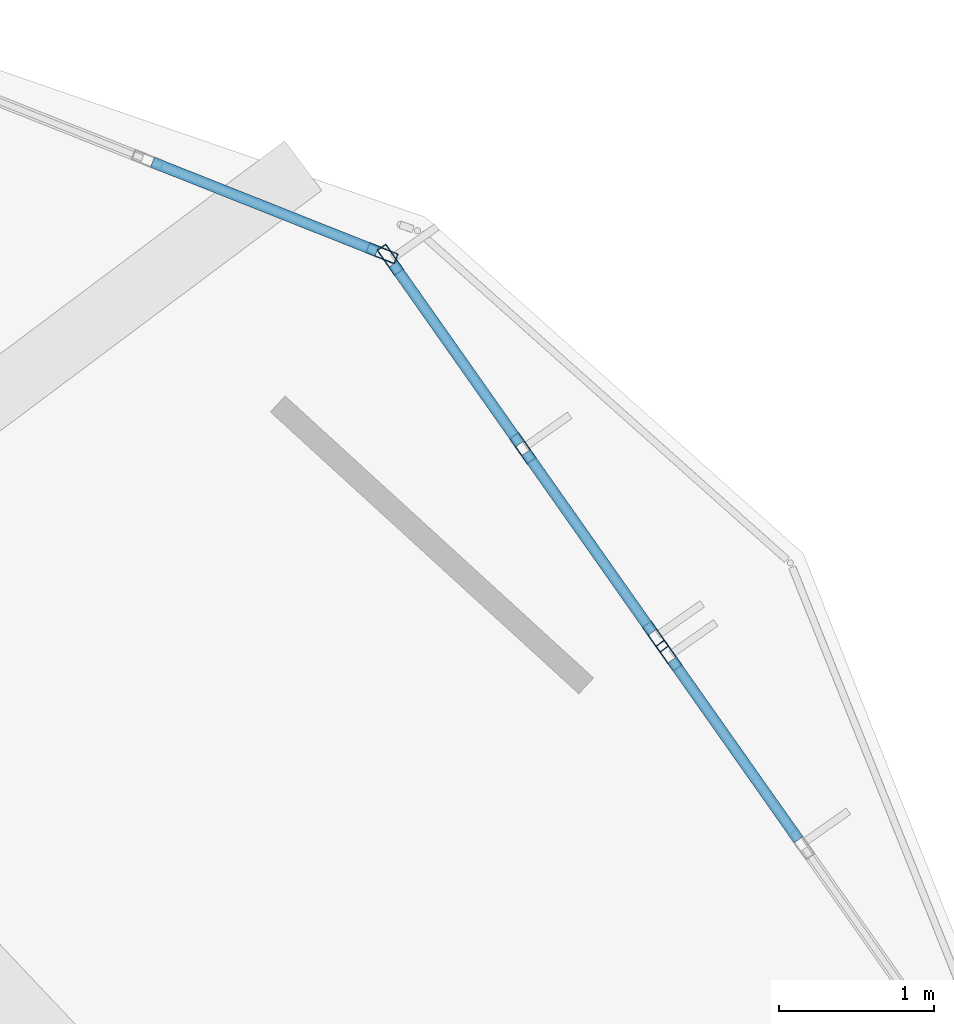
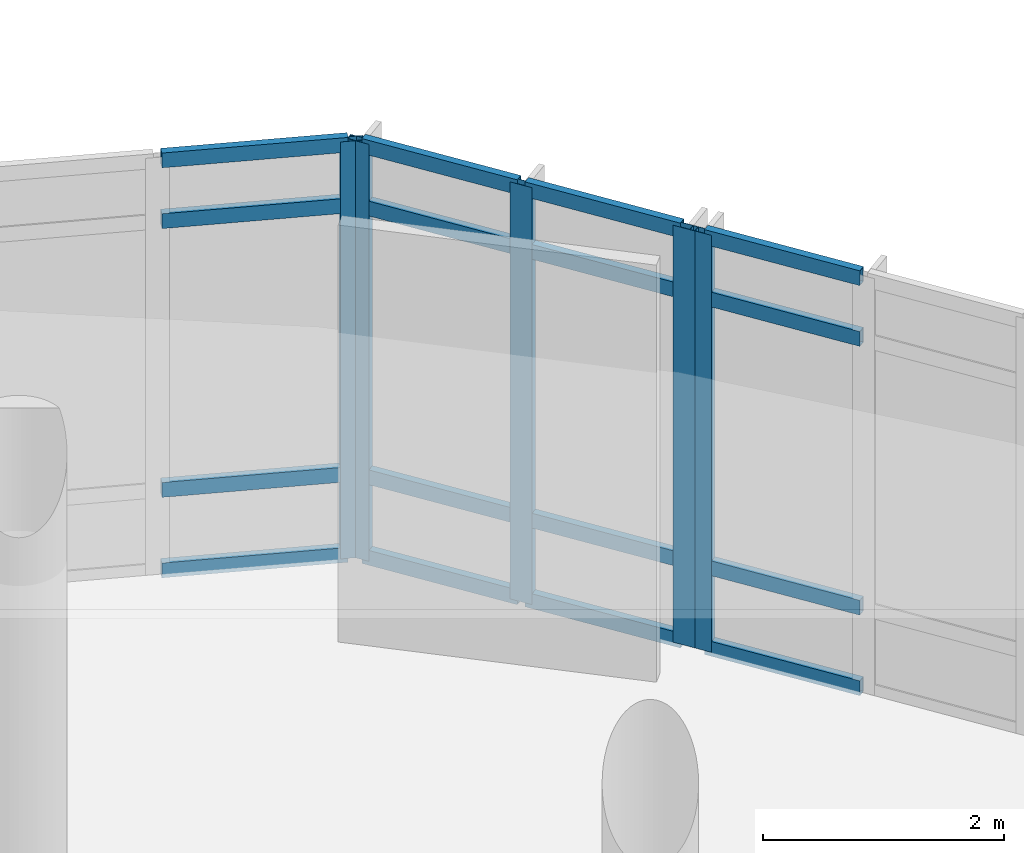
# One storey, part 19 of 46: 21 members, 3 elements without a shape of their own.
"""IFC4 building model written with IfcOpenShell, lengths in metres."""

from ifc_helpers import new_model, si_unit, derived_unit, direction, frame, origin, origin_2d, place, context, subcontext, project, spatial, hollow_rectangle, extrude, material, layer, layer_set, material_profile, profile_set, type_object, element, aggregate, save


model = new_model("IFC4")

# Units and contexts
model_context = context("Model", 3, precision=1e-05, world=origin(), true_north=direction((0.0, 1.0)))
body_context = subcontext(model_context, "Body", "Model", "MODEL_VIEW")
ifc_project = project(units=[si_unit("LENGTHUNIT", "METRE"), si_unit("AREAUNIT", "SQUARE_METRE"), si_unit("VOLUMEUNIT", "CUBIC_METRE"), si_unit("PLANEANGLEUNIT", "RADIAN"), si_unit("MASSUNIT", "GRAM", prefix="KILO"), derived_unit("THERMALTRANSMITTANCEUNIT", [(si_unit("POWERUNIT", "WATT"), 1), (si_unit("LENGTHUNIT", "METRE"), -2), (si_unit("THERMODYNAMICTEMPERATUREUNIT", "KELVIN"), -1)])], contexts=[model_context])

# Site, building, storey
site_placement = place(None, origin())
site = spatial("IfcSite", under=ifc_project, at=site_placement, CompositionType="ELEMENT")
building_placement = place(site_placement, origin())
building = spatial("IfcBuilding", under=site, at=building_placement, Name="Elbkamm Science Centre", CompositionType="ELEMENT")
storey_placement = place(building_placement, frame((0.0, 0.0, 9.89990234375)))
storey = spatial("IfcBuildingStorey", under=building, at=storey_placement, Name="L02", CompositionType="ELEMENT", Elevation=9.89990234375)

# Curtain wall, member
ifc_material_1 = material(Name="Powder-coated aluminium and triple low-E glazing", Category="aluminium")
ifc_layer_1 = layer(ifc_material_1, 0.159912109375)
ifc_layer_set_1 = layer_set([ifc_layer_1], Name="Powder-coated aluminium and triple low-E glazing")
curtain_wall_type_1 = type_object("IfcCurtainWallType", Name="CW-UNIT-3060x4220", PredefinedType="USERDEFINED", material=ifc_layer_set_1)
curtain_wall_1_placement = place(storey_placement, origin())
curtain_wall_1 = element("IfcCurtainWall", 1, at=curtain_wall_1_placement, inside=storey, type_object=curtain_wall_type_1, Name="L02 Unitised Curtain Wall 020", ObjectType="UNITISED CURTAIN WALL", PredefinedType="USERDEFINED")
ifc_material_2 = material(Name="Powder-coated aluminium EN AW-6060", Category="aluminium")
ifc_material_profile_1 = material_profile(ifc_material_2, hollow_rectangle(XDim=0.070068359375, YDim=0.199951171875, WallThickness=0.00439453125, at=origin_2d()), Name="ALU M70x200")
ifc_profile_set_1 = profile_set([ifc_material_profile_1], Name="Powder-coated aluminium EN AW-6060")
member_type_1 = type_object("IfcMemberType", Name="CW-MUL-70x200", PredefinedType="MULLION", material=ifc_profile_set_1)
member_1_placement = place(storey_placement, frame((86.18798828125, 80.70068359375, 0.0), z_axis=(0.0, 0.0, 1.0), x_axis=(-0.817694968929, -0.575651750443, 0.0)))
member_1 = element("IfcMember", 2, at=member_1_placement, type_object=member_type_1, Name="CW-012 mullion 3", PredefinedType="MULLION", context=body_context, shape_type="SweptSolid", body=[
    extrude(hollow_rectangle(XDim=0.070068359375, YDim=0.199951171875, WallThickness=0.00439453125, at=origin_2d()), origin(), (0.0, 0.0, 1.0), 4.22021484375),
])

# Curtain wall, members
curtain_wall_2_placement = place(storey_placement, origin())
curtain_wall_2 = element("IfcCurtainWall", 3, at=curtain_wall_2_placement, inside=storey, type_object=curtain_wall_type_1, Name="L02 Unitised Curtain Wall 021", ObjectType="UNITISED CURTAIN WALL", PredefinedType="USERDEFINED")
member_2_placement = place(storey_placement, frame((86.1015625, 80.8232421875, 0.0), z_axis=(0.0, 0.0, 1.0), x_axis=(-0.817694968929, -0.575651750443, 0.0)))
member_2 = element("IfcMember", 4, at=member_2_placement, type_object=member_type_1, Name="CW-012 mullion 1", PredefinedType="MULLION", context=body_context, shape_type="SweptSolid", body=[
    extrude(hollow_rectangle(XDim=0.070068359375, YDim=0.199951171875, WallThickness=0.00439453125, at=origin_2d()), origin(), (0.0, 0.0, 1.0), 4.22021484375),
])
member_3_placement = place(storey_placement, frame((85.24365234375, 82.041748046875, 0.0), z_axis=(0.0, 0.0, 1.0), x_axis=(-0.817694968929, -0.575651750443, 0.0)))
member_3 = element("IfcMember", 5, at=member_3_placement, type_object=member_type_1, Name="CW-012 mullion 2", PredefinedType="MULLION", context=body_context, shape_type="SweptSolid", body=[
    extrude(hollow_rectangle(XDim=0.070068359375, YDim=0.199951171875, WallThickness=0.00439453125, at=origin_2d()), origin(), (0.0, 0.0, 1.0), 4.22021484375),
])
member_4_placement = place(storey_placement, frame((84.385986328125, 83.26025390625, 0.0), z_axis=(0.0, 0.0, 1.0), x_axis=(-0.817694968929, -0.575651750443, 0.0)))
member_4 = element("IfcMember", 6, at=member_4_placement, type_object=member_type_1, Name="CW-012 mullion 3", PredefinedType="MULLION", context=body_context, shape_type="SweptSolid", body=[
    extrude(hollow_rectangle(XDim=0.070068359375, YDim=0.199951171875, WallThickness=0.00439453125, at=origin_2d()), origin(), (0.0, 0.0, 1.0), 4.22021484375),
])

# Curtain wall, member
ifc_layer_2 = layer(ifc_material_1, 0.159912109375)
ifc_layer_set_2 = layer_set([ifc_layer_2], Name="Powder-coated aluminium and triple low-E glazing")
curtain_wall_type_2 = type_object("IfcCurtainWallType", Name="CW-UNIT-3340x4220", PredefinedType="USERDEFINED", material=ifc_layer_set_2)
curtain_wall_3_placement = place(storey_placement, origin())
curtain_wall_3 = element("IfcCurtainWall", 7, at=curtain_wall_3_placement, inside=storey, type_object=curtain_wall_type_2, Name="L02 Unitised Curtain Wall 022", ObjectType="UNITISED CURTAIN WALL", PredefinedType="USERDEFINED")
member_5_placement = place(storey_placement, frame((84.333251953125, 83.3017578125, 0.0), z_axis=(0.0, 0.0, 1.0), x_axis=(-0.369160233621, -0.929365763256, 0.0)))
member_5 = element("IfcMember", 8, at=member_5_placement, type_object=member_type_1, Name="CW-013 mullion 1", PredefinedType="MULLION", context=body_context, shape_type="SweptSolid", body=[
    extrude(hollow_rectangle(XDim=0.070068359375, YDim=0.199951171875, WallThickness=0.00439453125, at=origin_2d()), origin(), (0.0, 0.0, 1.0), 4.22021484375),
])

# Member
ifc_material_profile_2 = material_profile(ifc_material_2, hollow_rectangle(XDim=0.070068359375, YDim=0.14990234375, WallThickness=0.00390625, at=origin_2d()), Name="ALU T70x150")
ifc_profile_set_2 = profile_set([ifc_material_profile_2], Name="Powder-coated aluminium EN AW-6060")
member_type_2 = type_object("IfcMemberType", Name="CW-TRN-70x150", PredefinedType="USERDEFINED", material=ifc_profile_set_2)
member_6_placement = place(storey_placement, frame((87.025634765625, 79.5107421875, 0.03515625), z_axis=(-0.575744627832, 0.817629575983, 0.0), x_axis=(-0.817629575983, -0.575744627832, 0.0)))
member_6 = element("IfcMember", 9, at=member_6_placement, type_object=member_type_2, Name="CW-012 transom 2.1", ObjectType="TRANSOM", PredefinedType="USERDEFINED", context=body_context, shape_type="SweptSolid", body=[
    extrude(hollow_rectangle(XDim=0.070068359375, YDim=0.14990234375, WallThickness=0.00390625, at=origin_2d()), origin(), (0.0, 0.0, 1.0), 1.420166015625),
])

member_7_placement = place(storey_placement, frame((87.025634765625, 79.5107421875, 0.85009765625), z_axis=(-0.575744627832, 0.817629575983, 0.0), x_axis=(-0.817629575983, -0.575744627832, 0.0)))
member_7 = element("IfcMember", 10, at=member_7_placement, type_object=member_type_2, Name="CW-012 transom 2.2", ObjectType="TRANSOM", PredefinedType="USERDEFINED", context=body_context, shape_type="SweptSolid", body=[
    extrude(hollow_rectangle(XDim=0.070068359375, YDim=0.14990234375, WallThickness=0.00390625, at=origin_2d()), origin(), (0.0, 0.0, 1.0), 1.420166015625),
])

member_8_placement = place(storey_placement, frame((87.025634765625, 79.5107421875, 3.570068359375), z_axis=(-0.575744627832, 0.817629575983, 0.0), x_axis=(-0.817629575983, -0.575744627832, 0.0)))
member_8 = element("IfcMember", 11, at=member_8_placement, type_object=member_type_2, Name="CW-012 transom 2.3", ObjectType="TRANSOM", PredefinedType="USERDEFINED", context=body_context, shape_type="SweptSolid", body=[
    extrude(hollow_rectangle(XDim=0.070068359375, YDim=0.14990234375, WallThickness=0.00390625, at=origin_2d()), origin(), (0.0, 0.0, 1.0), 1.420166015625),
])

member_9_placement = place(storey_placement, frame((87.025634765625, 79.5107421875, 4.18505859375), z_axis=(-0.575744627832, 0.817629575983, 0.0), x_axis=(-0.817629575983, -0.575744627832, 0.0)))
member_9 = element("IfcMember", 12, at=member_9_placement, type_object=member_type_2, Name="CW-012 transom 2.4", ObjectType="TRANSOM", PredefinedType="USERDEFINED", context=body_context, shape_type="SweptSolid", body=[
    extrude(hollow_rectangle(XDim=0.070068359375, YDim=0.14990234375, WallThickness=0.00390625, at=origin_2d()), origin(), (0.0, 0.0, 1.0), 1.420166015625),
])

aggregate(curtain_wall_1, [member_1, member_6, member_7, member_8, member_9])

member_10_placement = place(storey_placement, frame((86.081298828125, 80.85205078125, 0.03515625), z_axis=(-0.575629682216, 0.817710504367, 0.0), x_axis=(-0.817710504367, -0.575629682216, 0.0)))
member_10 = element("IfcMember", 13, at=member_10_placement, type_object=member_type_2, Name="CW-012 transom 1.1", ObjectType="TRANSOM", PredefinedType="USERDEFINED", context=body_context, shape_type="SweptSolid", body=[
    extrude(hollow_rectangle(XDim=0.070068359375, YDim=0.14990234375, WallThickness=0.00390625, at=origin_2d()), origin(), (0.0, 0.0, 1.0), 1.419921875),
])

member_11_placement = place(storey_placement, frame((86.081298828125, 80.85205078125, 0.85009765625), z_axis=(-0.575629682216, 0.817710504367, 0.0), x_axis=(-0.817710504367, -0.575629682216, 0.0)))
member_11 = element("IfcMember", 14, at=member_11_placement, type_object=member_type_2, Name="CW-012 transom 1.2", ObjectType="TRANSOM", PredefinedType="USERDEFINED", context=body_context, shape_type="SweptSolid", body=[
    extrude(hollow_rectangle(XDim=0.070068359375, YDim=0.14990234375, WallThickness=0.00390625, at=origin_2d()), origin(), (0.0, 0.0, 1.0), 1.419921875),
])

member_12_placement = place(storey_placement, frame((86.081298828125, 80.85205078125, 3.570068359375), z_axis=(-0.575629682216, 0.817710504367, 0.0), x_axis=(-0.817710504367, -0.575629682216, 0.0)))
member_12 = element("IfcMember", 15, at=member_12_placement, type_object=member_type_2, Name="CW-012 transom 1.3", ObjectType="TRANSOM", PredefinedType="USERDEFINED", context=body_context, shape_type="SweptSolid", body=[
    extrude(hollow_rectangle(XDim=0.070068359375, YDim=0.14990234375, WallThickness=0.00390625, at=origin_2d()), origin(), (0.0, 0.0, 1.0), 1.419921875),
])

member_13_placement = place(storey_placement, frame((86.081298828125, 80.85205078125, 4.18505859375), z_axis=(-0.575629682216, 0.817710504367, 0.0), x_axis=(-0.817710504367, -0.575629682216, 0.0)))
member_13 = element("IfcMember", 16, at=member_13_placement, type_object=member_type_2, Name="CW-012 transom 1.4", ObjectType="TRANSOM", PredefinedType="USERDEFINED", context=body_context, shape_type="SweptSolid", body=[
    extrude(hollow_rectangle(XDim=0.070068359375, YDim=0.14990234375, WallThickness=0.00390625, at=origin_2d()), origin(), (0.0, 0.0, 1.0), 1.419921875),
])

member_14_placement = place(storey_placement, frame((85.2236328125, 82.0703125, 0.03515625), z_axis=(-0.575663707935, 0.817686550805, 0.0), x_axis=(-0.817686550805, -0.575663707935, 0.0)))
member_14 = element("IfcMember", 17, at=member_14_placement, type_object=member_type_2, Name="CW-012 transom 2.1", ObjectType="TRANSOM", PredefinedType="USERDEFINED", context=body_context, shape_type="SweptSolid", body=[
    extrude(hollow_rectangle(XDim=0.070068359375, YDim=0.14990234375, WallThickness=0.00390625, at=origin_2d()), origin(), (0.0, 0.0, 1.0), 1.42041015625),
])

member_15_placement = place(storey_placement, frame((85.2236328125, 82.0703125, 0.85009765625), z_axis=(-0.575663707935, 0.817686550805, 0.0), x_axis=(-0.817686550805, -0.575663707935, 0.0)))
member_15 = element("IfcMember", 18, at=member_15_placement, type_object=member_type_2, Name="CW-012 transom 2.2", ObjectType="TRANSOM", PredefinedType="USERDEFINED", context=body_context, shape_type="SweptSolid", body=[
    extrude(hollow_rectangle(XDim=0.070068359375, YDim=0.14990234375, WallThickness=0.00390625, at=origin_2d()), origin(), (0.0, 0.0, 1.0), 1.42041015625),
])

member_16_placement = place(storey_placement, frame((85.2236328125, 82.0703125, 3.570068359375), z_axis=(-0.575663707935, 0.817686550805, 0.0), x_axis=(-0.817686550805, -0.575663707935, 0.0)))
member_16 = element("IfcMember", 19, at=member_16_placement, type_object=member_type_2, Name="CW-012 transom 2.3", ObjectType="TRANSOM", PredefinedType="USERDEFINED", context=body_context, shape_type="SweptSolid", body=[
    extrude(hollow_rectangle(XDim=0.070068359375, YDim=0.14990234375, WallThickness=0.00390625, at=origin_2d()), origin(), (0.0, 0.0, 1.0), 1.42041015625),
])

member_17_placement = place(storey_placement, frame((85.2236328125, 82.0703125, 4.18505859375), z_axis=(-0.575663707935, 0.817686550805, 0.0), x_axis=(-0.817686550805, -0.575663707935, 0.0)))
member_17 = element("IfcMember", 20, at=member_17_placement, type_object=member_type_2, Name="CW-012 transom 2.4", ObjectType="TRANSOM", PredefinedType="USERDEFINED", context=body_context, shape_type="SweptSolid", body=[
    extrude(hollow_rectangle(XDim=0.070068359375, YDim=0.14990234375, WallThickness=0.00390625, at=origin_2d()), origin(), (0.0, 0.0, 1.0), 1.42041015625),
])

aggregate(curtain_wall_2, [member_2, member_3, member_4, member_10, member_11, member_12, member_13, member_14, member_15, member_16, member_17])

member_18_placement = place(storey_placement, frame((84.30078125, 83.314697265625, 0.03515625), z_axis=(-0.929390289785, 0.36909848178, 0.0), x_axis=(-0.36909848178, -0.929390289785, 0.0)))
member_18 = element("IfcMember", 21, at=member_18_placement, type_object=member_type_2, Name="CW-013 transom 1.1", ObjectType="TRANSOM", PredefinedType="USERDEFINED", context=body_context, shape_type="SweptSolid", body=[
    extrude(hollow_rectangle(XDim=0.070068359375, YDim=0.14990234375, WallThickness=0.00390625, at=origin_2d()), origin(), (0.0, 0.0, 1.0), 1.561767578125),
])

member_19_placement = place(storey_placement, frame((84.30078125, 83.314697265625, 0.85009765625), z_axis=(-0.929390289785, 0.36909848178, 0.0), x_axis=(-0.36909848178, -0.929390289785, 0.0)))
member_19 = element("IfcMember", 22, at=member_19_placement, type_object=member_type_2, Name="CW-013 transom 1.2", ObjectType="TRANSOM", PredefinedType="USERDEFINED", context=body_context, shape_type="SweptSolid", body=[
    extrude(hollow_rectangle(XDim=0.070068359375, YDim=0.14990234375, WallThickness=0.00390625, at=origin_2d()), origin(), (0.0, 0.0, 1.0), 1.561767578125),
])

member_20_placement = place(storey_placement, frame((84.30078125, 83.314697265625, 3.570068359375), z_axis=(-0.929390289785, 0.36909848178, 0.0), x_axis=(-0.36909848178, -0.929390289785, 0.0)))
member_20 = element("IfcMember", 23, at=member_20_placement, type_object=member_type_2, Name="CW-013 transom 1.3", ObjectType="TRANSOM", PredefinedType="USERDEFINED", context=body_context, shape_type="SweptSolid", body=[
    extrude(hollow_rectangle(XDim=0.070068359375, YDim=0.14990234375, WallThickness=0.00390625, at=origin_2d()), origin(), (0.0, 0.0, 1.0), 1.561767578125),
])

member_21_placement = place(storey_placement, frame((84.30078125, 83.314697265625, 4.18505859375), z_axis=(-0.929390289785, 0.36909848178, 0.0), x_axis=(-0.36909848178, -0.929390289785, 0.0)))
member_21 = element("IfcMember", 24, at=member_21_placement, type_object=member_type_2, Name="CW-013 transom 1.4", ObjectType="TRANSOM", PredefinedType="USERDEFINED", context=body_context, shape_type="SweptSolid", body=[
    extrude(hollow_rectangle(XDim=0.070068359375, YDim=0.14990234375, WallThickness=0.00390625, at=origin_2d()), origin(), (0.0, 0.0, 1.0), 1.561767578125),
])

aggregate(curtain_wall_3, [member_5, member_18, member_19, member_20, member_21])

save(model, "model.ifc")
